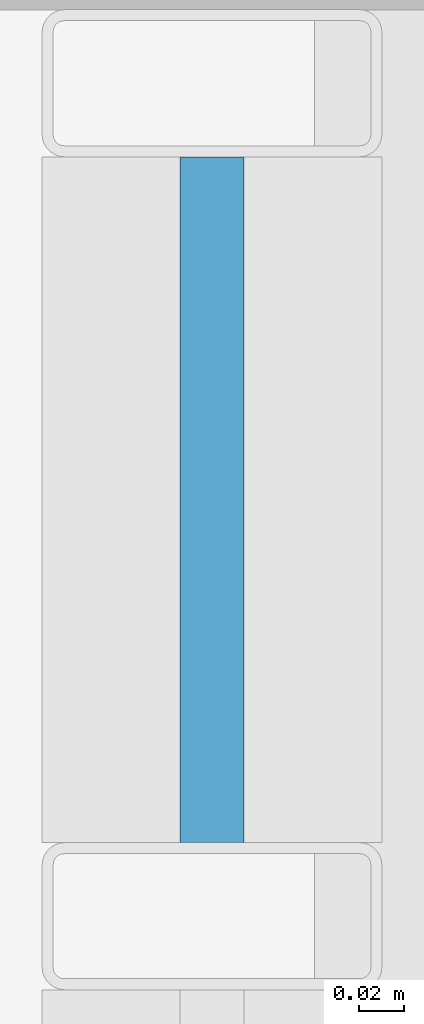
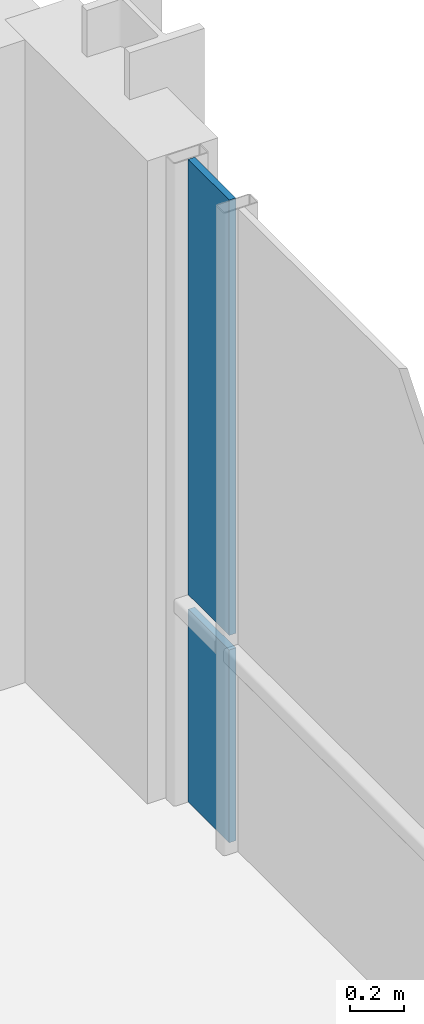
# One storey, part 7 of 12: 2 plates, 1 element without a shape of its own.
"""IFC4 building model written with IfcOpenShell, lengths in metres."""

from ifc_helpers import new_model, si_unit, direction, frame, origin, origin_2d, place, context, subcontext, project, spatial, rectangle, extrude, material, layer, layer_set, type_object, element, aggregate, save


model = new_model("IFC4")

# Units and contexts
model_context = context("Model", 3, precision=1e-05, world=origin(), true_north=direction((0.0, 1.0)))
body_context = subcontext(model_context, "Body", "Model", "MODEL_VIEW")
ifc_project = project(units=[si_unit("LENGTHUNIT", "METRE"), si_unit("AREAUNIT", "SQUARE_METRE"), si_unit("VOLUMEUNIT", "CUBIC_METRE"), si_unit("PLANEANGLEUNIT", "RADIAN"), si_unit("MASSUNIT", "GRAM", prefix="KILO")], contexts=[model_context])

# Site, building, storey
site_placement = place(None, origin())
site = spatial("IfcSite", under=ifc_project, at=site_placement, CompositionType="ELEMENT")
building_placement = place(site_placement, origin())
building = spatial("IfcBuilding", under=site, at=building_placement, Name="Brevholm Reach", CompositionType="ELEMENT")
storey_placement = place(building_placement, frame((0.0, 0.0, 233.5)))
storey = spatial("IfcBuildingStorey", under=building, at=storey_placement, Name="L71", CompositionType="ELEMENT", Elevation=233.5)

# Curtain wall, plates
ifc_material_1 = material(Name="Dark Anodised Aluminium 6063-T6 and Solar-Control Glass", Category="aluminium")
ifc_layer_1 = layer(ifc_material_1, 0.14990234375)
ifc_layer_set_1 = layer_set([ifc_layer_1], Name="Dark Anodised Aluminium 6063-T6 and Solar-Control Glass")
curtain_wall_type = type_object("IfcCurtainWallType", Name="CW-01", PredefinedType="NOTDEFINED", material=ifc_layer_set_1)
curtain_wall_placement = place(storey_placement, origin())
curtain_wall = element("IfcCurtainWall", 1, at=curtain_wall_placement, inside=storey, type_object=curtain_wall_type, Name="L71 Curtain Wall CW-01", PredefinedType="NOTDEFINED")
ifc_material_2 = material(Name="Dark Solar-Control Double-Glazed IGU Glass", Category="glass")
ifc_layer_2 = layer(ifc_material_2, 0.028076171875)
ifc_layer_set_2 = layer_set([ifc_layer_2], Name="Dark Solar-Control Double-Glazed IGU Glass")
plate_type = type_object("IfcPlateType", Name="CWP-GLZ-28", PredefinedType="CURTAIN_PANEL", material=ifc_layer_set_2)
plate_1_placement = place(storey_placement, frame((59.85009765625, 22.733642578125, 0.0), z_axis=(0.0, 0.0, 1.0), x_axis=(0.0, 1.0, 0.0)))
plate_1 = element("IfcPlate", 2, at=plate_1_placement, type_object=plate_type, Name="CP-01 Glazing Panel 5.1", PredefinedType="CURTAIN_PANEL", context=body_context, shape_type="SweptSolid", body=[
    extrude(rectangle(XDim=0.302490234375, YDim=0.028076171875, at=origin_2d()), origin(), (0.0, 0.0, 1.0), 0.867431640625),
])
plate_2_placement = place(storey_placement, frame((59.85009765625, 22.733642578125, 0.932373046875), z_axis=(0.0, 0.0, 1.0), x_axis=(0.0, 1.0, 0.0)))
plate_2 = element("IfcPlate", 3, at=plate_2_placement, type_object=plate_type, Name="CP-01 Glazing Panel 5.2", PredefinedType="CURTAIN_PANEL", context=body_context, shape_type="SweptSolid", body=[
    extrude(rectangle(XDim=0.302490234375, YDim=0.028076171875, at=origin_2d()), origin(), (0.0, 0.0, 1.0), 1.95751953125),
])
aggregate(curtain_wall, [plate_1, plate_2])

save(model, "model.ifc")
